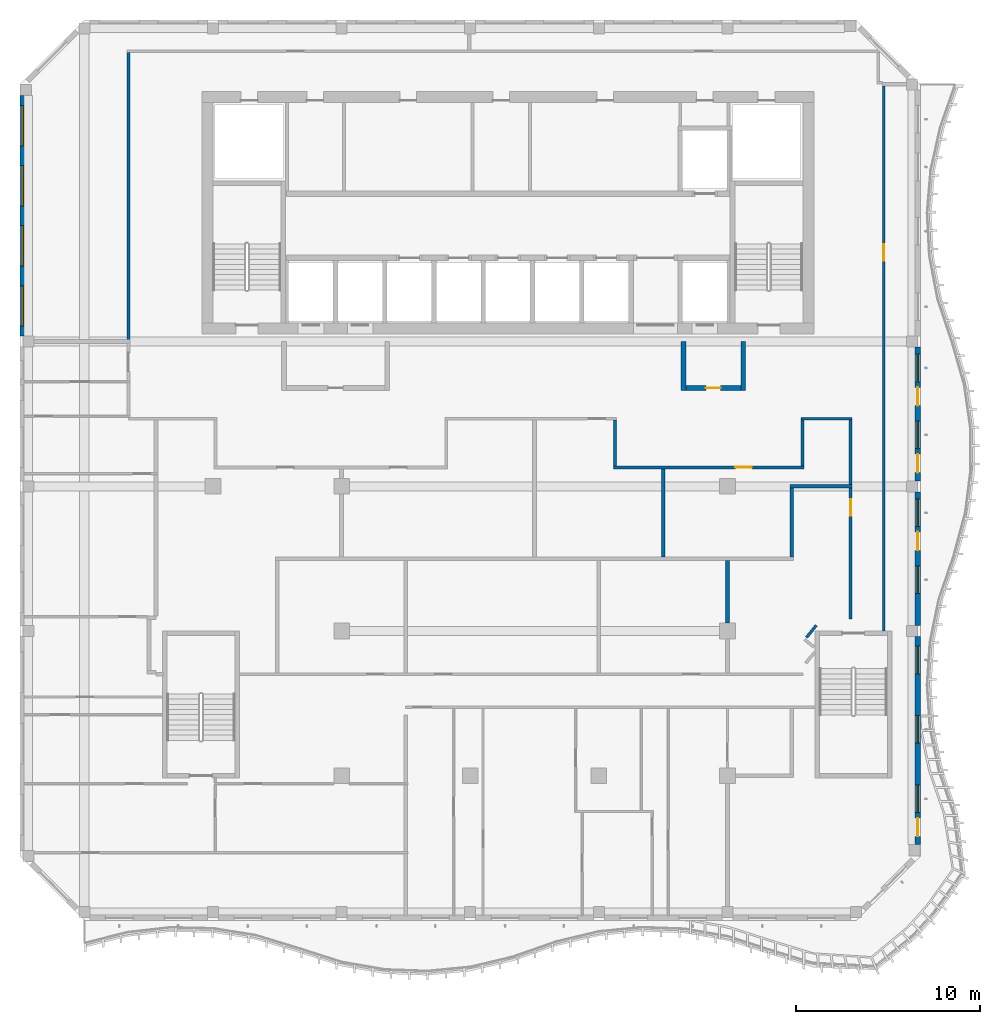
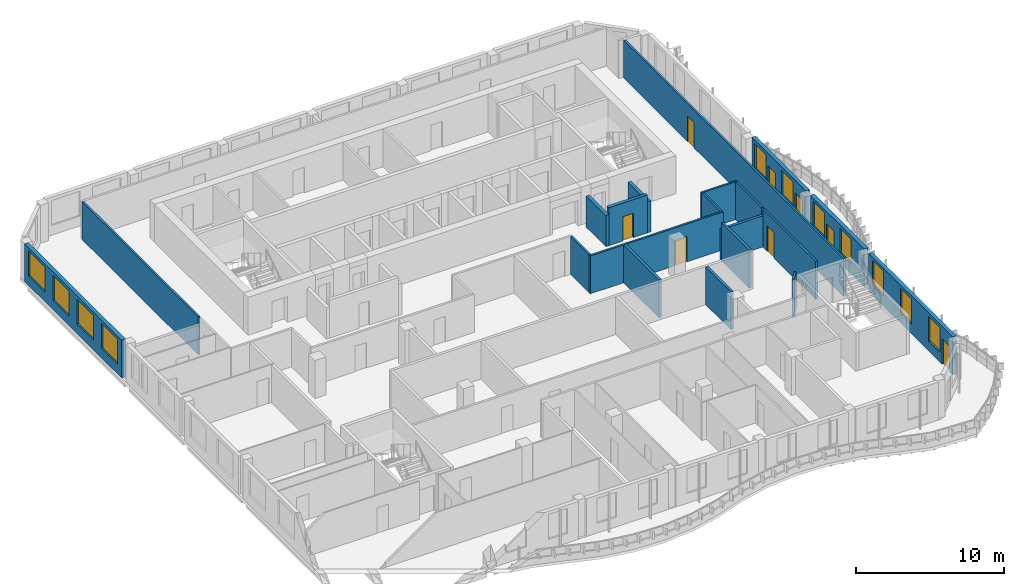
# One storey, part 5 of 17: 20 walls, 11 windows, 8 doors, 19 openings.
"""IFC4 building model written with IfcOpenShell, lengths in metres."""

from ifc_helpers import new_model, si_unit, direction, frame, frame_2d, origin, place, context, subcontext, project, spatial, rectangle, extrude, source, transform, mapped, material, layer, layer_set, type_object, element, fill, save


model = new_model("IFC4")

# Units and contexts
model_context = context("Model", 3, precision=1e-05, world=origin(), true_north=direction((0.0, 1.0)))
body_context = subcontext(model_context, "Body", "Model", "MODEL_VIEW")
ifc_project = project(units=[si_unit("LENGTHUNIT", "METRE"), si_unit("AREAUNIT", "SQUARE_METRE"), si_unit("VOLUMEUNIT", "CUBIC_METRE"), si_unit("PLANEANGLEUNIT", "RADIAN"), si_unit("MASSUNIT", "GRAM", prefix="KILO")], contexts=[model_context])

# Site, building, storey
site_placement = place(None, origin())
site = spatial("IfcSite", under=ifc_project, at=site_placement, CompositionType="ELEMENT")
building_placement = place(site_placement, origin())
building = spatial("IfcBuilding", under=site, at=building_placement, Name="Kilnfold Tower and Market Hall", CompositionType="ELEMENT")
storey_placement = place(building_placement, frame((0.0, 0.0, 308.60009765625)))
storey = spatial("IfcBuildingStorey", under=building, at=storey_placement, Name="L77", CompositionType="ELEMENT", Elevation=308.60009765625)

# Wall, opening, door
ifc_material_1 = material(Name="Gypsum board on steel studs", Category="steel")
ifc_layer_1 = layer(ifc_material_1, 0.14990234375)
ifc_layer_set_1 = layer_set([ifc_layer_1], Name="Gypsum board on steel studs")
wall_type_1 = type_object("IfcWallType", Name="WALL CORRIDOR 150", PredefinedType="PARTITIONING", material=ifc_layer_set_1)
wall_1_placement = place(storey_placement, frame((21.5, -7.75, 0.0), z_axis=(0.0, 0.0, 1.0), x_axis=(0.0, 1.0, 0.0)))
wall_1 = element("IfcWall", 1, at=wall_1_placement, inside=storey, type_object=wall_type_1, Name="Partition LY46.5", PredefinedType="PARTITIONING", context=body_context, shape_type="SweptSolid", body=[
    extrude(rectangle(XDim=29.659912109375, YDim=0.14990234375, at=frame_2d((14.830078125, 0.0))), origin(), (0.0, 0.0, 1.0), 3.119873046875),
])
opening_1_placement = place(wall_1_placement, frame((20.14208984375, 0.0, 0.0)))
opening_1 = element("IfcOpeningElement", 2, at=opening_1_placement, cuts=wall_1, Name="Opening D2", PredefinedType="OPENING", context=body_context, shape_type="SweptSolid", body=[
    extrude(rectangle(XDim=0.89990234375, YDim=2.10009765625, at=frame_2d((0.449951171875, 1.050048828125))), frame((0.0, 0.0849609375, 0.0), z_axis=(0.0, -1.0, 0.0), x_axis=(1.0, 0.0, 0.0)), (0.0, 0.0, 1.0), 0.169921875),
])
ifc_material_2 = material(Name="Timber veneer door leaf in steel frame", Category="steel")
door_type_1 = type_object("IfcDoorType", Name="DOOR ROOM 900 X2100", OperationType="NOTDEFINED", PredefinedType="DOOR", material=ifc_material_2)
door_1_placement = place(opening_1_placement, origin())
door_1 = element("IfcDoor", 3, at=door_1_placement, inside=storey, type_object=door_type_1, Name="Door D2", OperationType="SINGLE_SWING_RIGHT", OverallHeight=2.10009765625, OverallWidth=0.89990234375, PredefinedType="DOOR", context=body_context, shape_type="SweptSolid", body=[
    extrude(rectangle(XDim=0.89990234375, YDim=2.10009765625, at=frame_2d((0.449951171875, 1.050048828125))), frame((0.0, 0.02490234375, 0.0), z_axis=(0.0, -1.0, 0.0), x_axis=(1.0, 0.0, 0.0)), (0.0, 0.0, 1.0), 0.050048828125),
])
fill(opening_1, door_1)

# Wall
wall_2_placement = place(storey_placement, frame((-19.60009765625, 8.090087890625, 0.0), z_axis=(0.0, 0.0, 1.0), x_axis=(0.0, 1.0, 0.0)))
element("IfcWall", 4, at=wall_2_placement, inside=storey, type_object=wall_type_1, Name="Partition LY46.6", PredefinedType="PARTITIONING", context=body_context, shape_type="SweptSolid", body=[
    extrude(rectangle(XDim=15.635009765625, YDim=0.14990234375, at=frame_2d((7.8173828125, 0.0))), origin(), (0.0, 0.0, 1.0), 3.119873046875),
])

# Wall, opening, door
wall_3_placement = place(storey_placement, frame((6.804931640625, 1.14990234375, 0.0), z_axis=(0.0, 0.0, 1.0), x_axis=(1.0, 0.0, 0.0)))
wall_3 = element("IfcWall", 5, at=wall_3_placement, inside=storey, type_object=wall_type_1, Name="Partition LY46.15", PredefinedType="PARTITIONING", context=body_context, shape_type="SweptSolid", body=[
    extrude(rectangle(XDim=10.35009765625, YDim=0.14990234375, at=frame_2d((5.175048828125, 0.0))), origin(), (0.0, 0.0, 1.0), 3.119873046875),
])
opening_2_placement = place(wall_3_placement, frame((6.623046875, 0.0, 0.0)))
opening_2 = element("IfcOpeningElement", 6, at=opening_2_placement, cuts=wall_3, Name="Opening D2", PredefinedType="OPENING", context=body_context, shape_type="SweptSolid", body=[
    extrude(rectangle(XDim=0.89990234375, YDim=2.10009765625, at=frame_2d((0.449951171875, 1.050048828125))), frame((0.0, 0.0849609375, 0.0), z_axis=(0.0, -1.0, 0.0), x_axis=(1.0, 0.0, 0.0)), (0.0, 0.0, 1.0), 0.169921875),
])
door_2_placement = place(opening_2_placement, origin())
door_2 = element("IfcDoor", 7, at=door_2_placement, inside=storey, type_object=door_type_1, Name="Door D2", OperationType="SINGLE_SWING_RIGHT", OverallHeight=2.10009765625, OverallWidth=0.89990234375, PredefinedType="DOOR", context=body_context, shape_type="SweptSolid", body=[
    extrude(rectangle(XDim=0.89990234375, YDim=2.10009765625, at=frame_2d((0.449951171875, 1.050048828125))), frame((0.0, 0.02490234375, 0.0), z_axis=(0.0, -1.0, 0.0), x_axis=(1.0, 0.0, 0.0)), (0.0, 0.0, 1.0), 0.050048828125),
])
fill(opening_2, door_2)

# Walls
wall_4_placement = place(storey_placement, frame((6.8798828125, 3.72509765625, 0.0), z_axis=(0.0, 0.0, 1.0), x_axis=(0.0, -1.0, 0.0)))
element("IfcWall", 8, at=wall_4_placement, inside=storey, type_object=wall_type_1, Name="Partition LY46.16", PredefinedType="PARTITIONING", context=body_context, shape_type="SweptSolid", body=[
    extrude(rectangle(XDim=2.5, YDim=0.14990234375, at=frame_2d((1.25, 0.0))), origin(), (0.0, 0.0, 1.0), 3.119873046875),
])
wall_5_placement = place(storey_placement, frame((17.8349609375, -7.44189453125, 0.0), z_axis=(0.0, 0.0, 1.0), x_axis=(-0.628859024249, -0.777519342281, 0.0)))
element("IfcWall", 9, at=wall_5_placement, inside=storey, type_object=wall_type_1, Name="Partition LY46.19", PredefinedType="PARTITIONING", context=body_context, shape_type="SweptSolid", body=[
    extrude(rectangle(XDim=0.84912109375, YDim=0.14990234375, at=frame_2d((0.424560546875, 0.0))), origin(), (0.0, 0.0, 1.0), 3.119873046875),
])

# Wall, opening, door
wall_6_placement = place(storey_placement, frame((19.699951171875, -7.10009765625, 0.0), z_axis=(0.0, 0.0, 1.0), x_axis=(0.0, 1.0, 0.0)))
wall_6 = element("IfcWall", 10, at=wall_6_placement, inside=storey, type_object=wall_type_1, Name="Partition LY46.20", PredefinedType="PARTITIONING", context=body_context, shape_type="SweptSolid", body=[
    extrude(rectangle(XDim=7.135009765625, YDim=0.14990234375, at=frame_2d((3.5673828125, 0.0))), origin(), (0.0, 0.0, 1.0), 3.119873046875),
])
opening_3_placement = place(wall_6_placement, frame((5.633056640625, 0.0, 0.0)))
opening_3 = element("IfcOpeningElement", 11, at=opening_3_placement, cuts=wall_6, Name="Opening D2", PredefinedType="OPENING", context=body_context, shape_type="SweptSolid", body=[
    extrude(rectangle(XDim=0.89990234375, YDim=2.10009765625, at=frame_2d((0.449951171875, 1.050048828125))), frame((0.0, 0.0849609375, 0.0), z_axis=(0.0, -1.0, 0.0), x_axis=(1.0, 0.0, 0.0)), (0.0, 0.0, 1.0), 0.169921875),
])
door_3_placement = place(opening_3_placement, origin())
door_3 = element("IfcDoor", 12, at=door_3_placement, inside=storey, type_object=door_type_1, Name="Door D2", OperationType="SINGLE_SWING_LEFT", OverallHeight=2.10009765625, OverallWidth=0.89990234375, PredefinedType="DOOR", context=body_context, shape_type="SweptSolid", body=[
    extrude(rectangle(XDim=0.89990234375, YDim=2.10009765625, at=frame_2d((0.449951171875, 1.050048828125))), frame((0.0, 0.02490234375, 0.0), z_axis=(0.0, -1.0, 0.0), x_axis=(1.0, 0.0, 0.0)), (0.0, 0.0, 1.0), 0.050048828125),
])
fill(opening_3, door_3)

# Walls
wall_7_placement = place(storey_placement, frame((19.699951171875, 0.215087890625, 0.0), z_axis=(0.0, 0.0, 1.0), x_axis=(0.0, 1.0, 0.0)))
element("IfcWall", 13, at=wall_7_placement, inside=storey, type_object=wall_type_1, Name="Partition LY46.21", PredefinedType="PARTITIONING", context=body_context, shape_type="SweptSolid", body=[
    extrude(rectangle(XDim=3.510009765625, YDim=0.14990234375, at=frame_2d((1.7548828125, 0.0))), origin(), (0.0, 0.0, 1.0), 3.119873046875),
])
wall_8_placement = place(storey_placement, frame((17.0048828125, 3.800048828125, 0.0), z_axis=(0.0, 0.0, 1.0), x_axis=(1.0, 0.0, 0.0)))
element("IfcWall", 14, at=wall_8_placement, inside=storey, type_object=wall_type_1, Name="Partition LY46.22", PredefinedType="PARTITIONING", context=body_context, shape_type="SweptSolid", body=[
    extrude(rectangle(XDim=2.77001953125, YDim=0.14990234375, at=frame_2d((1.385009765625, 0.0))), origin(), (0.0, 0.0, 1.0), 3.119873046875),
])
wall_9_placement = place(storey_placement, frame((17.080078125, 1.22509765625, 0.0), z_axis=(0.0, 0.0, 1.0), x_axis=(0.0, 1.0, 0.0)))
element("IfcWall", 15, at=wall_9_placement, inside=storey, type_object=wall_type_1, Name="Partition LY46.23", PredefinedType="PARTITIONING", context=body_context, shape_type="SweptSolid", body=[
    extrude(rectangle(XDim=2.5, YDim=0.14990234375, at=frame_2d((1.25, 0.0))), origin(), (0.0, 0.0, 1.0), 3.119873046875),
])
ifc_material_3 = material(Name="Gypsum board on steel studs", Category="steel")
ifc_layer_2 = layer(ifc_material_3, 0.199951171875)
ifc_layer_set_2 = layer_set([ifc_layer_2], Name="Gypsum board on steel studs")
wall_type_2 = type_object("IfcWallType", Name="WALL PARTY 200", PredefinedType="PARTITIONING", material=ifc_layer_set_2)
wall_10_placement = place(storey_placement, frame((9.5, -3.7119140625, 0.0), z_axis=(0.0, 0.0, 1.0), x_axis=(0.0, 1.0, 0.0)))
element("IfcWall", 16, at=wall_10_placement, inside=storey, type_object=wall_type_2, Name="Partition LY46.67", PredefinedType="PARTITIONING", context=body_context, shape_type="SweptSolid", body=[
    extrude(rectangle(XDim=4.784912109375, YDim=0.199951171875, at=frame_2d((2.392578125, 0.0))), origin(), (0.0, 0.0, 1.0), 3.119873046875),
])
wall_11_placement = place(storey_placement, frame((13.0, -7.324951171875, 0.0), z_axis=(0.0, 0.0, 1.0), x_axis=(0.0, 1.0, 0.0)))
element("IfcWall", 17, at=wall_11_placement, inside=storey, type_object=wall_type_2, Name="Partition LY46.68", PredefinedType="PARTITIONING", context=body_context, shape_type="SweptSolid", body=[
    extrude(rectangle(XDim=3.412841796875, YDim=0.199951171875, at=frame_2d((1.70654296875, 0.0))), origin(), (0.0, 0.0, 1.0), 3.119873046875),
])
wall_12_placement = place(storey_placement, frame((16.5, -3.7119140625, 0.0), z_axis=(0.0, 0.0, 1.0), x_axis=(0.0, 1.0, 0.0)))
element("IfcWall", 18, at=wall_12_placement, inside=storey, type_object=wall_type_2, Name="Partition LY46.70", PredefinedType="PARTITIONING", context=body_context, shape_type="SweptSolid", body=[
    extrude(rectangle(XDim=3.73681640625, YDim=0.199951171875, at=frame_2d((1.868408203125, 0.0))), origin(), (0.0, 0.0, 1.0), 3.119873046875),
])
wall_13_placement = place(storey_placement, frame((19.77294921875, 0.125, 0.0), z_axis=(0.0, 0.0, 1.0), x_axis=(-1.0, 0.0, 0.0)))
element("IfcWall", 19, at=wall_13_placement, inside=storey, type_object=wall_type_2, Name="Partition LY46.71", PredefinedType="PARTITIONING", context=body_context, shape_type="SweptSolid", body=[
    extrude(rectangle(XDim=3.373046875, YDim=0.199951171875, at=frame_2d((1.6865234375, 0.0))), origin(), (0.0, 0.0, 1.0), 2.56982421875),
])

# Wall, openings, door, windows
ifc_material_4 = material(Name="Precast concrete C50/60", Category="concrete")
ifc_layer_3 = layer(ifc_material_4, 0.300048828125)
ifc_layer_set_3 = layer_set([ifc_layer_3], Name="Precast concrete C50/60")
wall_type_3 = type_object("IfcWallType", Name="PRECAST WALL 300", PredefinedType="SOLIDWALL", material=ifc_layer_set_3)
shared_shape_1 = source(origin(), body_context, "Body", "SweptSolid", [
    extrude(rectangle(XDim=11.331787109375, YDim=0.300048828125, at=frame_2d((5.666015625, 0.0))), origin(), (0.0, 0.0, 1.0), 3.119873046875),
])
wall_14_placement = place(storey_placement, frame((23.35009765625, -19.3818359375, 0.0), z_axis=(0.0, 0.0, 1.0), x_axis=(0.0, 1.0, 0.0)))
wall_14 = element("IfcWall", 20, at=wall_14_placement, inside=storey, type_object=wall_type_3, Name="External wall L77 E", PredefinedType="SOLIDWALL", context=body_context, shape_type="MappedRepresentation", body=[
    mapped(shared_shape_1, transform((0.0, 0.0, 0.0))),
])
opening_4_placement = place(wall_14_placement, frame((1.75, 0.0, 0.800048828125)))
opening_4 = element("IfcOpeningElement", 21, at=opening_4_placement, cuts=wall_14, Name="Opening W5", PredefinedType="OPENING", context=body_context, shape_type="SweptSolid", body=[
    extrude(rectangle(XDim=1.5, YDim=2.050048828125, at=frame_2d((0.75, 1.02490234375))), frame((0.0, 0.16015625, 0.0), z_axis=(0.0, -1.0, 0.0), x_axis=(1.0, 0.0, 0.0)), (0.0, 0.0, 1.0), 0.320068359375),
])
opening_5_placement = place(wall_14_placement, frame((0.449951171875, 0.0, 0.0)))
opening_5 = element("IfcOpeningElement", 22, at=opening_5_placement, cuts=wall_14, Name="Opening BD1", PredefinedType="OPENING", context=body_context, shape_type="SweptSolid", body=[
    extrude(rectangle(XDim=1.0, YDim=2.10009765625, at=frame_2d((0.5, 1.050048828125))), frame((0.0, 0.16015625, 0.0), z_axis=(0.0, -1.0, 0.0), x_axis=(1.0, 0.0, 0.0)), (0.0, 0.0, 1.0), 0.320068359375),
])
opening_6_placement = place(wall_14_placement, frame((5.52734375, 0.0, 0.800048828125)))
opening_6 = element("IfcOpeningElement", 23, at=opening_6_placement, cuts=wall_14, Name="Opening W5", PredefinedType="OPENING", context=body_context, shape_type="SweptSolid", body=[
    extrude(rectangle(XDim=1.5, YDim=2.050048828125, at=frame_2d((0.75, 1.02490234375))), frame((0.0, 0.16015625, 0.0), z_axis=(0.0, -1.0, 0.0), x_axis=(1.0, 0.0, 0.0)), (0.0, 0.0, 1.0), 0.320068359375),
])
opening_7_placement = place(wall_14_placement, frame((9.304443359375, 0.0, 0.800048828125)))
opening_7 = element("IfcOpeningElement", 24, at=opening_7_placement, cuts=wall_14, Name="Opening W5", PredefinedType="OPENING", context=body_context, shape_type="SweptSolid", body=[
    extrude(rectangle(XDim=1.5, YDim=2.050048828125, at=frame_2d((0.75, 1.02490234375))), frame((0.0, 0.16015625, 0.0), z_axis=(0.0, -1.0, 0.0), x_axis=(1.0, 0.0, 0.0)), (0.0, 0.0, 1.0), 0.320068359375),
])
ifc_material_5 = material(Name="Aluminium frame and double glazing", Category="aluminium")
door_type_2 = type_object("IfcDoorType", Name="BALCONY DOOR 1000X2100", OperationType="NOTDEFINED", PredefinedType="DOOR", material=ifc_material_5)
door_4_placement = place(opening_5_placement, origin())
door_4 = element("IfcDoor", 25, at=door_4_placement, inside=storey, type_object=door_type_2, Name="Balcony door BD1 L77 E-1", OperationType="SINGLE_SWING_LEFT", OverallHeight=2.10009765625, OverallWidth=1.0, PredefinedType="DOOR", context=body_context, shape_type="SweptSolid", body=[
    extrude(rectangle(XDim=1.0, YDim=2.10009765625, at=frame_2d((0.5, 1.050048828125))), frame((0.0, 0.02490234375, 0.0), z_axis=(0.0, -1.0, 0.0), x_axis=(1.0, 0.0, 0.0)), (0.0, 0.0, 1.0), 0.050048828125),
])
fill(opening_5, door_4)
ifc_material_6 = material(Name="Aluminium frame and double glazing", Category="aluminium")
window_type_1 = type_object("IfcWindowType", Name="WINDOW W5 1500X2050", PartitioningType="SINGLE_PANEL", PredefinedType="WINDOW", material=ifc_material_6)
window_1_placement = place(opening_4_placement, origin())
window_1 = element("IfcWindow", 26, at=window_1_placement, inside=storey, type_object=window_type_1, Name="Window W5 L77 E-1", OverallHeight=2.050048828125, OverallWidth=1.5, PartitioningType="SINGLE_PANEL", PredefinedType="WINDOW", context=body_context, shape_type="SweptSolid", body=[
    extrude(rectangle(XDim=1.5, YDim=2.050048828125, at=frame_2d((0.75, 1.02490234375))), frame((0.0, 0.030029296875, 0.0), z_axis=(0.0, -1.0, 0.0), x_axis=(1.0, 0.0, 0.0)), (0.0, 0.0, 1.0), 0.06005859375),
])
fill(opening_4, window_1)
window_2_placement = place(opening_6_placement, origin())
window_2 = element("IfcWindow", 27, at=window_2_placement, inside=storey, type_object=window_type_1, Name="Window W5 L77 E-2", OverallHeight=2.050048828125, OverallWidth=1.5, PartitioningType="SINGLE_PANEL", PredefinedType="WINDOW", context=body_context, shape_type="SweptSolid", body=[
    extrude(rectangle(XDim=1.5, YDim=2.050048828125, at=frame_2d((0.75, 1.02490234375))), frame((0.0, 0.030029296875, 0.0), z_axis=(0.0, -1.0, 0.0), x_axis=(1.0, 0.0, 0.0)), (0.0, 0.0, 1.0), 0.06005859375),
])
fill(opening_6, window_2)
window_3_placement = place(opening_7_placement, origin())
window_3 = element("IfcWindow", 28, at=window_3_placement, inside=storey, type_object=window_type_1, Name="Window W5 L77 E-3", OverallHeight=2.050048828125, OverallWidth=1.5, PartitioningType="SINGLE_PANEL", PredefinedType="WINDOW", context=body_context, shape_type="SweptSolid", body=[
    extrude(rectangle(XDim=1.5, YDim=2.050048828125, at=frame_2d((0.75, 1.02490234375))), frame((0.0, 0.030029296875, 0.0), z_axis=(0.0, -1.0, 0.0), x_axis=(1.0, 0.0, 0.0)), (0.0, 0.0, 1.0), 0.06005859375),
])
fill(opening_7, window_3)

shared_shape_2 = source(origin(), body_context, "Body", "SweptSolid", [
    extrude(rectangle(XDim=7.27490234375, YDim=0.300048828125, at=frame_2d((3.637451171875, 0.0))), origin(), (0.0, 0.0, 1.0), 3.119873046875),
])
wall_15_placement = place(storey_placement, frame((23.35009765625, -7.449951171875, 0.0), z_axis=(0.0, 0.0, 1.0), x_axis=(0.0, 1.0, 0.0)))
wall_15 = element("IfcWall", 29, at=wall_15_placement, inside=storey, type_object=wall_type_3, Name="External wall L77 E", PredefinedType="SOLIDWALL", context=body_context, shape_type="MappedRepresentation", body=[
    mapped(shared_shape_2, transform((0.0, 0.0, 0.0))),
])
opening_8_placement = place(wall_15_placement, frame((1.75, 0.0, 0.800048828125)))
opening_8 = element("IfcOpeningElement", 30, at=opening_8_placement, cuts=wall_15, Name="Opening W5", PredefinedType="OPENING", context=body_context, shape_type="SweptSolid", body=[
    extrude(rectangle(XDim=1.5, YDim=2.050048828125, at=frame_2d((0.75, 1.02490234375))), frame((0.0, 0.16015625, 0.0), z_axis=(0.0, -1.0, 0.0), x_axis=(1.0, 0.0, 0.0)), (0.0, 0.0, 1.0), 0.320068359375),
])
opening_9_placement = place(wall_15_placement, frame((5.387451171875, 0.0, 0.800048828125)))
opening_9 = element("IfcOpeningElement", 31, at=opening_9_placement, cuts=wall_15, Name="Opening W5", PredefinedType="OPENING", context=body_context, shape_type="SweptSolid", body=[
    extrude(rectangle(XDim=1.5, YDim=2.050048828125, at=frame_2d((0.75, 1.02490234375))), frame((0.0, 0.16015625, 0.0), z_axis=(0.0, -1.0, 0.0), x_axis=(1.0, 0.0, 0.0)), (0.0, 0.0, 1.0), 0.320068359375),
])
opening_10_placement = place(wall_15_placement, frame((4.08740234375, 0.0, 0.0)))
opening_10 = element("IfcOpeningElement", 32, at=opening_10_placement, cuts=wall_15, Name="Opening BD1", PredefinedType="OPENING", context=body_context, shape_type="SweptSolid", body=[
    extrude(rectangle(XDim=1.0, YDim=2.10009765625, at=frame_2d((0.5, 1.050048828125))), frame((0.0, 0.16015625, 0.0), z_axis=(0.0, -1.0, 0.0), x_axis=(1.0, 0.0, 0.0)), (0.0, 0.0, 1.0), 0.320068359375),
])
door_5_placement = place(opening_10_placement, origin())
door_5 = element("IfcDoor", 33, at=door_5_placement, inside=storey, type_object=door_type_2, Name="Balcony door BD1 L77 E-2", OperationType="SINGLE_SWING_RIGHT", OverallHeight=2.10009765625, OverallWidth=1.0, PredefinedType="DOOR", context=body_context, shape_type="SweptSolid", body=[
    extrude(rectangle(XDim=1.0, YDim=2.10009765625, at=frame_2d((0.5, 1.050048828125))), frame((0.0, 0.02490234375, 0.0), z_axis=(0.0, -1.0, 0.0), x_axis=(1.0, 0.0, 0.0)), (0.0, 0.0, 1.0), 0.050048828125),
])
fill(opening_10, door_5)
window_4_placement = place(opening_8_placement, origin())
window_4 = element("IfcWindow", 34, at=window_4_placement, inside=storey, type_object=window_type_1, Name="Window W5 L77 E-1", OverallHeight=2.050048828125, OverallWidth=1.5, PartitioningType="SINGLE_PANEL", PredefinedType="WINDOW", context=body_context, shape_type="SweptSolid", body=[
    extrude(rectangle(XDim=1.5, YDim=2.050048828125, at=frame_2d((0.75, 1.02490234375))), frame((0.0, 0.030029296875, 0.0), z_axis=(0.0, -1.0, 0.0), x_axis=(1.0, 0.0, 0.0)), (0.0, 0.0, 1.0), 0.06005859375),
])
fill(opening_8, window_4)
window_5_placement = place(opening_9_placement, origin())
window_5 = element("IfcWindow", 35, at=window_5_placement, inside=storey, type_object=window_type_1, Name="Window W5 L77 E-2", OverallHeight=2.050048828125, OverallWidth=1.5, PartitioningType="SINGLE_PANEL", PredefinedType="WINDOW", context=body_context, shape_type="SweptSolid", body=[
    extrude(rectangle(XDim=1.5, YDim=2.050048828125, at=frame_2d((0.75, 1.02490234375))), frame((0.0, 0.030029296875, 0.0), z_axis=(0.0, -1.0, 0.0), x_axis=(1.0, 0.0, 0.0)), (0.0, 0.0, 1.0), 0.06005859375),
])
fill(opening_9, window_5)

# Wall, openings, doors, windows
wall_16_placement = place(storey_placement, frame((23.35009765625, 0.425048828125, 0.0), z_axis=(0.0, 0.0, 1.0), x_axis=(0.0, 1.0, 0.0)))
wall_16 = element("IfcWall", 36, at=wall_16_placement, inside=storey, type_object=wall_type_3, Name="External wall L77 E", PredefinedType="SOLIDWALL", context=body_context, shape_type="MappedRepresentation", body=[
    mapped(shared_shape_2, transform((0.0, 0.0, 0.0))),
])
opening_11_placement = place(wall_16_placement, frame((1.75, 0.0, 0.800048828125)))
opening_11 = element("IfcOpeningElement", 37, at=opening_11_placement, cuts=wall_16, Name="Opening W5", PredefinedType="OPENING", context=body_context, shape_type="SweptSolid", body=[
    extrude(rectangle(XDim=1.5, YDim=2.050048828125, at=frame_2d((0.75, 1.02490234375))), frame((0.0, 0.16015625, 0.0), z_axis=(0.0, -1.0, 0.0), x_axis=(1.0, 0.0, 0.0)), (0.0, 0.0, 1.0), 0.320068359375),
])
opening_12_placement = place(wall_16_placement, frame((0.449951171875, 0.0, 0.0)))
opening_12 = element("IfcOpeningElement", 38, at=opening_12_placement, cuts=wall_16, Name="Opening BD1", PredefinedType="OPENING", context=body_context, shape_type="SweptSolid", body=[
    extrude(rectangle(XDim=1.0, YDim=2.10009765625, at=frame_2d((0.5, 1.050048828125))), frame((0.0, 0.16015625, 0.0), z_axis=(0.0, -1.0, 0.0), x_axis=(1.0, 0.0, 0.0)), (0.0, 0.0, 1.0), 0.320068359375),
])
opening_13_placement = place(wall_16_placement, frame((5.387451171875, 0.0, 0.800048828125)))
opening_13 = element("IfcOpeningElement", 39, at=opening_13_placement, cuts=wall_16, Name="Opening W5", PredefinedType="OPENING", context=body_context, shape_type="SweptSolid", body=[
    extrude(rectangle(XDim=1.5, YDim=2.050048828125, at=frame_2d((0.75, 1.02490234375))), frame((0.0, 0.16015625, 0.0), z_axis=(0.0, -1.0, 0.0), x_axis=(1.0, 0.0, 0.0)), (0.0, 0.0, 1.0), 0.320068359375),
])
opening_14_placement = place(wall_16_placement, frame((4.08740234375, 0.0, 0.0)))
opening_14 = element("IfcOpeningElement", 40, at=opening_14_placement, cuts=wall_16, Name="Opening BD1", PredefinedType="OPENING", context=body_context, shape_type="SweptSolid", body=[
    extrude(rectangle(XDim=1.0, YDim=2.10009765625, at=frame_2d((0.5, 1.050048828125))), frame((0.0, 0.16015625, 0.0), z_axis=(0.0, -1.0, 0.0), x_axis=(1.0, 0.0, 0.0)), (0.0, 0.0, 1.0), 0.320068359375),
])
door_6_placement = place(opening_12_placement, origin())
door_6 = element("IfcDoor", 41, at=door_6_placement, inside=storey, type_object=door_type_2, Name="Balcony door BD1 L77 E-1", OperationType="SINGLE_SWING_LEFT", OverallHeight=2.10009765625, OverallWidth=1.0, PredefinedType="DOOR", context=body_context, shape_type="SweptSolid", body=[
    extrude(rectangle(XDim=1.0, YDim=2.10009765625, at=frame_2d((0.5, 1.050048828125))), frame((0.0, 0.02490234375, 0.0), z_axis=(0.0, -1.0, 0.0), x_axis=(1.0, 0.0, 0.0)), (0.0, 0.0, 1.0), 0.050048828125),
])
fill(opening_12, door_6)
door_7_placement = place(opening_14_placement, origin())
door_7 = element("IfcDoor", 42, at=door_7_placement, inside=storey, type_object=door_type_2, Name="Balcony door BD1 L77 E-2", OperationType="SINGLE_SWING_RIGHT", OverallHeight=2.10009765625, OverallWidth=1.0, PredefinedType="DOOR", context=body_context, shape_type="SweptSolid", body=[
    extrude(rectangle(XDim=1.0, YDim=2.10009765625, at=frame_2d((0.5, 1.050048828125))), frame((0.0, 0.02490234375, 0.0), z_axis=(0.0, -1.0, 0.0), x_axis=(1.0, 0.0, 0.0)), (0.0, 0.0, 1.0), 0.050048828125),
])
fill(opening_14, door_7)
window_6_placement = place(opening_11_placement, origin())
window_6 = element("IfcWindow", 43, at=window_6_placement, inside=storey, type_object=window_type_1, Name="Window W5 L77 E-1", OverallHeight=2.050048828125, OverallWidth=1.5, PartitioningType="SINGLE_PANEL", PredefinedType="WINDOW", context=body_context, shape_type="SweptSolid", body=[
    extrude(rectangle(XDim=1.5, YDim=2.050048828125, at=frame_2d((0.75, 1.02490234375))), frame((0.0, 0.030029296875, 0.0), z_axis=(0.0, -1.0, 0.0), x_axis=(1.0, 0.0, 0.0)), (0.0, 0.0, 1.0), 0.06005859375),
])
fill(opening_11, window_6)
window_7_placement = place(opening_13_placement, origin())
window_7 = element("IfcWindow", 44, at=window_7_placement, inside=storey, type_object=window_type_1, Name="Window W5 L77 E-2", OverallHeight=2.050048828125, OverallWidth=1.5, PartitioningType="SINGLE_PANEL", PredefinedType="WINDOW", context=body_context, shape_type="SweptSolid", body=[
    extrude(rectangle(XDim=1.5, YDim=2.050048828125, at=frame_2d((0.75, 1.02490234375))), frame((0.0, 0.030029296875, 0.0), z_axis=(0.0, -1.0, 0.0), x_axis=(1.0, 0.0, 0.0)), (0.0, 0.0, 1.0), 0.06005859375),
])
fill(opening_13, window_7)

# Wall, openings, windows
shared_shape_3 = source(origin(), body_context, "Body", "SweptSolid", [
    extrude(rectangle(XDim=13.081787109375, YDim=0.300048828125, at=frame_2d((6.541015625, 0.0))), origin(), (0.0, 0.0, 1.0), 3.119873046875),
])
wall_17_placement = place(storey_placement, frame((-25.35009765625, 21.3818359375, 0.0), z_axis=(0.0, 0.0, 1.0), x_axis=(0.0, -1.0, 0.0)))
wall_17 = element("IfcWall", 45, at=wall_17_placement, inside=storey, type_object=wall_type_3, Name="External wall L77 W", PredefinedType="SOLIDWALL", context=body_context, shape_type="MappedRepresentation", body=[
    mapped(shared_shape_3, transform((0.0, 0.0, 0.0))),
])
opening_15_placement = place(wall_17_placement, frame((0.53515625, 0.0, 0.800048828125)))
opening_15 = element("IfcOpeningElement", 46, at=opening_15_placement, cuts=wall_17, Name="Opening W3", PredefinedType="OPENING", context=body_context, shape_type="SweptSolid", body=[
    extrude(rectangle(XDim=2.199951171875, YDim=2.050048828125, at=frame_2d((1.10009765625, 1.02490234375))), frame((0.0, 0.16015625, 0.0), z_axis=(0.0, -1.0, 0.0), x_axis=(1.0, 0.0, 0.0)), (0.0, 0.0, 1.0), 0.320068359375),
])
opening_16_placement = place(wall_17_placement, frame((3.8056640625, 0.0, 0.800048828125)))
opening_16 = element("IfcOpeningElement", 47, at=opening_16_placement, cuts=wall_17, Name="Opening W3", PredefinedType="OPENING", context=body_context, shape_type="SweptSolid", body=[
    extrude(rectangle(XDim=2.199951171875, YDim=2.050048828125, at=frame_2d((1.10009765625, 1.02490234375))), frame((0.0, 0.16015625, 0.0), z_axis=(0.0, -1.0, 0.0), x_axis=(1.0, 0.0, 0.0)), (0.0, 0.0, 1.0), 0.320068359375),
])
opening_17_placement = place(wall_17_placement, frame((7.076171875, 0.0, 0.800048828125)))
opening_17 = element("IfcOpeningElement", 48, at=opening_17_placement, cuts=wall_17, Name="Opening W3", PredefinedType="OPENING", context=body_context, shape_type="SweptSolid", body=[
    extrude(rectangle(XDim=2.199951171875, YDim=2.050048828125, at=frame_2d((1.10009765625, 1.02490234375))), frame((0.0, 0.16015625, 0.0), z_axis=(0.0, -1.0, 0.0), x_axis=(1.0, 0.0, 0.0)), (0.0, 0.0, 1.0), 0.320068359375),
])
opening_18_placement = place(wall_17_placement, frame((10.3466796875, 0.0, 0.800048828125)))
opening_18 = element("IfcOpeningElement", 49, at=opening_18_placement, cuts=wall_17, Name="Opening W3", PredefinedType="OPENING", context=body_context, shape_type="SweptSolid", body=[
    extrude(rectangle(XDim=2.199951171875, YDim=2.050048828125, at=frame_2d((1.10009765625, 1.02490234375))), frame((0.0, 0.16015625, 0.0), z_axis=(0.0, -1.0, 0.0), x_axis=(1.0, 0.0, 0.0)), (0.0, 0.0, 1.0), 0.320068359375),
])
ifc_material_7 = material(Name="Aluminium frame and double glazing", Category="aluminium")
window_type_2 = type_object("IfcWindowType", Name="WINDOW W3 2200X2050", PartitioningType="SINGLE_PANEL", PredefinedType="WINDOW", material=ifc_material_7)
window_8_placement = place(opening_15_placement, origin())
window_8 = element("IfcWindow", 50, at=window_8_placement, inside=storey, type_object=window_type_2, Name="Window W3 L77 W-1", OverallHeight=2.050048828125, OverallWidth=2.199951171875, PartitioningType="SINGLE_PANEL", PredefinedType="WINDOW", context=body_context, shape_type="SweptSolid", body=[
    extrude(rectangle(XDim=2.199951171875, YDim=2.050048828125, at=frame_2d((1.10009765625, 1.02490234375))), frame((0.0, 0.030029296875, 0.0), z_axis=(0.0, -1.0, 0.0), x_axis=(1.0, 0.0, 0.0)), (0.0, 0.0, 1.0), 0.06005859375),
])
fill(opening_15, window_8)
window_9_placement = place(opening_16_placement, origin())
window_9 = element("IfcWindow", 51, at=window_9_placement, inside=storey, type_object=window_type_2, Name="Window W3 L77 W-2", OverallHeight=2.050048828125, OverallWidth=2.199951171875, PartitioningType="SINGLE_PANEL", PredefinedType="WINDOW", context=body_context, shape_type="SweptSolid", body=[
    extrude(rectangle(XDim=2.199951171875, YDim=2.050048828125, at=frame_2d((1.10009765625, 1.02490234375))), frame((0.0, 0.030029296875, 0.0), z_axis=(0.0, -1.0, 0.0), x_axis=(1.0, 0.0, 0.0)), (0.0, 0.0, 1.0), 0.06005859375),
])
fill(opening_16, window_9)
window_10_placement = place(opening_17_placement, origin())
window_10 = element("IfcWindow", 52, at=window_10_placement, inside=storey, type_object=window_type_2, Name="Window W3 L77 W-3", OverallHeight=2.050048828125, OverallWidth=2.199951171875, PartitioningType="SINGLE_PANEL", PredefinedType="WINDOW", context=body_context, shape_type="SweptSolid", body=[
    extrude(rectangle(XDim=2.199951171875, YDim=2.050048828125, at=frame_2d((1.10009765625, 1.02490234375))), frame((0.0, 0.030029296875, 0.0), z_axis=(0.0, -1.0, 0.0), x_axis=(1.0, 0.0, 0.0)), (0.0, 0.0, 1.0), 0.06005859375),
])
fill(opening_17, window_10)
window_11_placement = place(opening_18_placement, origin())
window_11 = element("IfcWindow", 53, at=window_11_placement, inside=storey, type_object=window_type_2, Name="Window W3 L77 W-4", OverallHeight=2.050048828125, OverallWidth=2.199951171875, PartitioningType="SINGLE_PANEL", PredefinedType="WINDOW", context=body_context, shape_type="SweptSolid", body=[
    extrude(rectangle(XDim=2.199951171875, YDim=2.050048828125, at=frame_2d((1.10009765625, 1.02490234375))), frame((0.0, 0.030029296875, 0.0), z_axis=(0.0, -1.0, 0.0), x_axis=(1.0, 0.0, 0.0)), (0.0, 0.0, 1.0), 0.06005859375),
])
fill(opening_18, window_11)

# Wall, opening, door
ifc_material_8 = material(Name="Gypsum shaft wall system")
ifc_layer_4 = layer(ifc_material_8, 0.25)
ifc_layer_set_4 = layer_set([ifc_layer_4], Name="Gypsum shaft wall system")
wall_type_4 = type_object("IfcWallType", Name="LOBBY WALL 250", PredefinedType="PARTITIONING", material=ifc_layer_set_4)
shared_shape_4 = source(origin(), body_context, "Body", "SweptSolid", [
    extrude(rectangle(XDim=3.0, YDim=0.25, at=frame_2d((1.5, 0.0))), origin(), (0.0, 0.0, 1.0), 3.119873046875),
])
wall_18_placement = place(storey_placement, frame((10.72998046875, 5.47509765625, 0.0), z_axis=(0.0, 0.0, 1.0), x_axis=(1.0, 0.0, 0.0)))
wall_18 = element("IfcWall", 54, at=wall_18_placement, inside=storey, type_object=wall_type_4, Name="Firefighting lobby wall", PredefinedType="PARTITIONING", context=body_context, shape_type="MappedRepresentation", body=[
    mapped(shared_shape_4, transform((0.0, 0.0, 0.0))),
])
opening_19_placement = place(wall_18_placement, frame((1.10009765625, 0.0, 0.0)))
opening_19 = element("IfcOpeningElement", 55, at=opening_19_placement, cuts=wall_18, Name="Opening VD1", PredefinedType="OPENING", context=body_context, shape_type="SweptSolid", body=[
    extrude(rectangle(XDim=0.800048828125, YDim=2.0, at=frame_2d((0.39990234375, 1.0))), frame((0.0, 0.135009765625, 0.0), z_axis=(0.0, -1.0, 0.0), x_axis=(1.0, 0.0, 0.0)), (0.0, 0.0, 1.0), 0.27001953125),
])
ifc_material_9 = material(Name="Steel door set with fire-resisting leaf", Category="steel")
door_type_3 = type_object("IfcDoorType", Name="FIREFIGHTING LOBBY DOOR 800X2000", OperationType="NOTDEFINED", PredefinedType="DOOR", material=ifc_material_9)
door_8_placement = place(opening_19_placement, origin())
door_8 = element("IfcDoor", 56, at=door_8_placement, inside=storey, type_object=door_type_3, Name="Firefighting lobby door", OperationType="SINGLE_SWING_RIGHT", OverallHeight=2.0, OverallWidth=0.800048828125, PredefinedType="DOOR", context=body_context, shape_type="SweptSolid", body=[
    extrude(rectangle(XDim=0.800048828125, YDim=2.0, at=frame_2d((0.39990234375, 1.0))), frame((0.0, 0.02490234375, 0.0), z_axis=(0.0, -1.0, 0.0), x_axis=(1.0, 0.0, 0.0)), (0.0, 0.0, 1.0), 0.050048828125),
])
fill(opening_19, door_8)

# Walls
shared_shape_5 = source(origin(), body_context, "Body", "SweptSolid", [
    extrude(rectangle(XDim=2.64990234375, YDim=0.25, at=frame_2d((1.324951171875, 0.0))), origin(), (0.0, 0.0, 1.0), 2.56982421875),
])
for number, where, z_axis, x_axis, name in (
    (57, (10.60498046875, 5.35009765625, 0.0), (0.0, 0.0, 1.0), (0.0, 1.0, 0.0), "Firefighting lobby wall"),
    (58, (13.85498046875, 5.35009765625, 0.0), (0.0, 0.0, 1.0), (0.0, 1.0, 0.0), "Firefighting lobby wall"),
):
    element("IfcWall", number, at=place(storey_placement, frame(where, z_axis=z_axis, x_axis=x_axis)), inside=storey, type_object=wall_type_4, Name=name, PredefinedType="PARTITIONING", context=body_context, shape_type="MappedRepresentation", body=[
        mapped(shared_shape_5, transform((0.0, 0.0, 0.0))),
    ])

save(model, "model.ifc")
